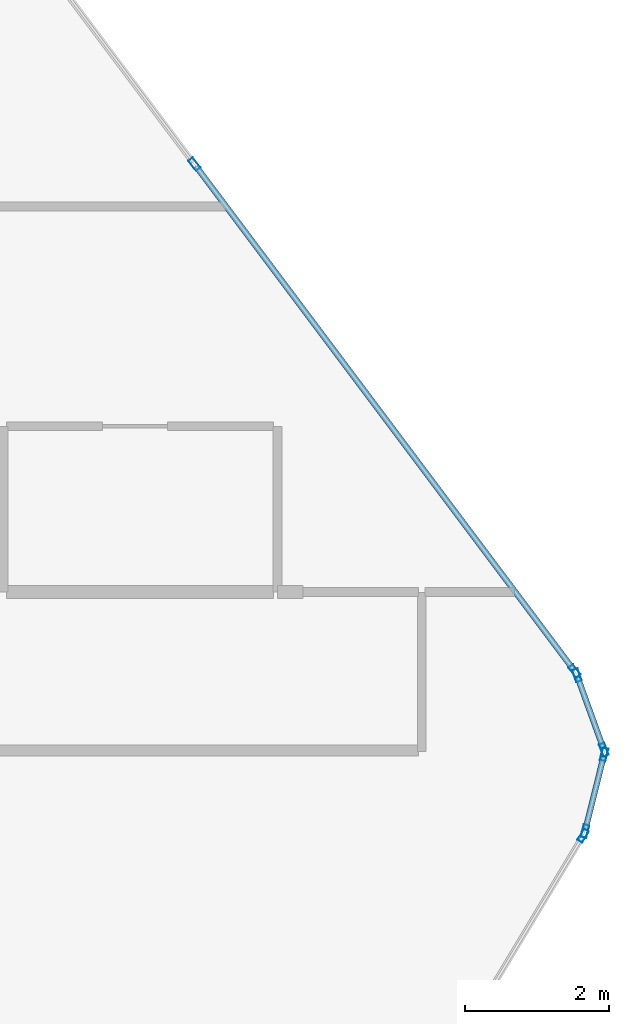
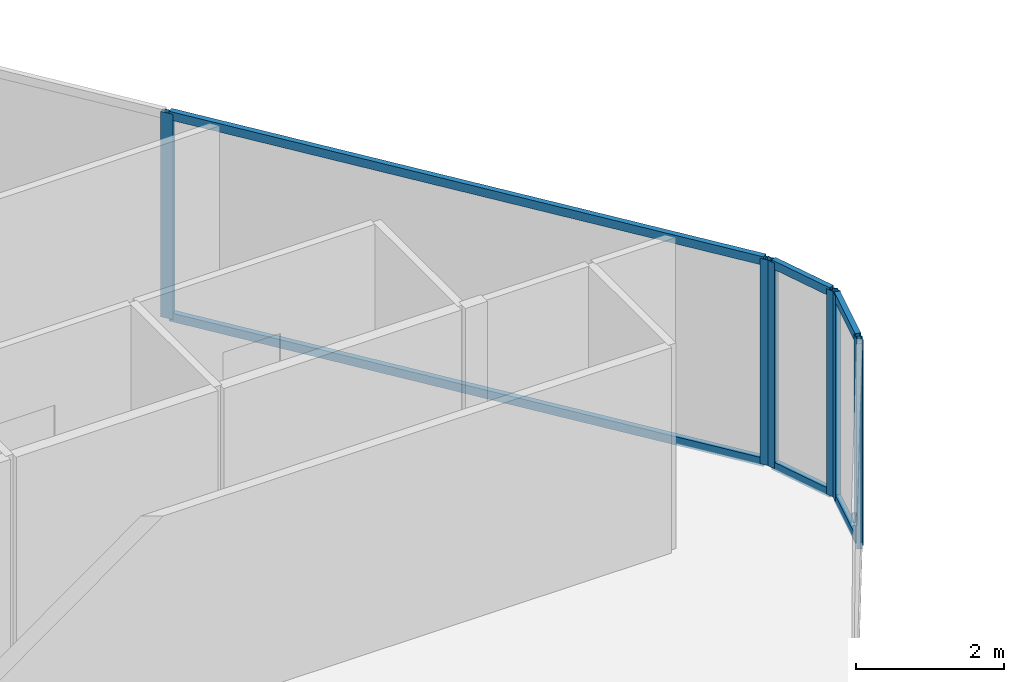
# One storey, part 18 of 29: 13 members, 4 elements without a shape of their own.
"""IFC4 building model written with IfcOpenShell, lengths in metres."""

from ifc_helpers import new_model, si_unit, direction, frame, origin, origin_2d, place, context, subcontext, project, spatial, hollow_rectangle, extrude, material, layer, layer_set, material_profile, profile_set, type_object, element, aggregate, save


model = new_model("IFC4")

# Units and contexts
model_context = context("Model", 3, precision=1e-05, world=origin(), true_north=direction((0.0, 1.0)))
body_context = subcontext(model_context, "Body", "Model", "MODEL_VIEW")
ifc_project = project(units=[si_unit("LENGTHUNIT", "METRE"), si_unit("AREAUNIT", "SQUARE_METRE"), si_unit("VOLUMEUNIT", "CUBIC_METRE"), si_unit("PLANEANGLEUNIT", "RADIAN"), si_unit("MASSUNIT", "GRAM", prefix="KILO")], contexts=[model_context])

# Site, building, storey
site_placement = place(None, origin())
site = spatial("IfcSite", under=ifc_project, at=site_placement, CompositionType="ELEMENT")
building_placement = place(site_placement, origin())
building = spatial("IfcBuilding", under=site, at=building_placement, Name="Keshet Zoharim Tower", CompositionType="ELEMENT")
storey_placement = place(building_placement, frame((0.0, 0.0, 98.300048828125)))
storey = spatial("IfcBuildingStorey", under=building, at=storey_placement, Name="L23", CompositionType="ELEMENT", Elevation=98.300048828125)

# Curtain wall, members
ifc_material = material(Name="Aluminium 6063-T6", Category="aluminium")
ifc_layer = layer(ifc_material, 0.159912109375)
ifc_layer_set = layer_set([ifc_layer], Name="Aluminium 6063-T6")
curtain_wall_type = type_object("IfcCurtainWallType", Name="CW-SYS-03", PredefinedType="NOTDEFINED", material=ifc_layer_set)
curtain_wall_1_placement = place(storey_placement, origin())
curtain_wall_1 = element("IfcCurtainWall", 1, at=curtain_wall_1_placement, inside=storey, type_object=curtain_wall_type, Name="L23 Unitised Curtain Wall 15", PredefinedType="NOTDEFINED")
ifc_material_profile_1 = material_profile(ifc_material, hollow_rectangle(XDim=0.080078125, YDim=0.179931640625, WallThickness=0.00439453125, at=origin_2d()), Name="MUL-80x180")
ifc_profile_set_1 = profile_set([ifc_material_profile_1], Name="Aluminium 6063-T6")
member_type_1 = type_object("IfcMemberType", Name="CWM-M18", PredefinedType="MULLION", material=ifc_profile_set_1)
member_1_placement = place(storey_placement, frame((56.896484375, 46.0380859375, 0.0), z_axis=(0.0, 0.0, 1.0), x_axis=(0.799999999998, 0.600000000002, 0.0)))
member_1 = element("IfcMember", 2, at=member_1_placement, type_object=member_type_1, Name="CW-03 mullion 2", PredefinedType="MULLION", context=body_context, shape_type="SweptSolid", body=[
    extrude(hollow_rectangle(XDim=0.080078125, YDim=0.179931640625, WallThickness=0.00439453125, at=origin_2d()), origin(), (0.0, 0.0, 1.0), 3.385009765625),
])
member_2_placement = place(storey_placement, frame((62.172119140625, 39.00390625, 0.0), z_axis=(0.0, 0.0, 1.0), x_axis=(0.799999999998, 0.600000000002, 0.0)))
member_2 = element("IfcMember", 3, at=member_2_placement, type_object=member_type_1, Name="CW-03 mullion 3", PredefinedType="MULLION", context=body_context, shape_type="SweptSolid", body=[
    extrude(hollow_rectangle(XDim=0.080078125, YDim=0.179931640625, WallThickness=0.00439453125, at=origin_2d()), origin(), (0.0, 0.0, 1.0), 3.385009765625),
])

curtain_wall_2_placement = place(storey_placement, origin())
curtain_wall_2 = element("IfcCurtainWall", 4, at=curtain_wall_2_placement, inside=storey, type_object=curtain_wall_type, Name="L23 Unitised Curtain Wall 16", PredefinedType="NOTDEFINED")
member_3_placement = place(storey_placement, frame((62.204833984375, 38.943115234375, 0.0), z_axis=(0.0, 0.0, 1.0), x_axis=(0.940317877544, 0.340297354046, 0.0)))
member_3 = element("IfcMember", 5, at=member_3_placement, type_object=member_type_1, Name="CW-03 mullion 1", PredefinedType="MULLION", context=body_context, shape_type="SweptSolid", body=[
    extrude(hollow_rectangle(XDim=0.080078125, YDim=0.179931640625, WallThickness=0.00439453125, at=origin_2d()), origin(), (0.0, 0.0, 1.0), 3.385009765625),
])
member_4_placement = place(storey_placement, frame((62.578125, 37.911865234375, 0.0), z_axis=(0.0, 0.0, 1.0), x_axis=(0.940317877544, 0.340297354046, 0.0)))
member_4 = element("IfcMember", 6, at=member_4_placement, type_object=member_type_1, Name="CW-03 mullion 2", PredefinedType="MULLION", context=body_context, shape_type="SweptSolid", body=[
    extrude(hollow_rectangle(XDim=0.080078125, YDim=0.179931640625, WallThickness=0.00439453125, at=origin_2d()), origin(), (0.0, 0.0, 1.0), 3.385009765625),
])

curtain_wall_3_placement = place(storey_placement, origin())
curtain_wall_3 = element("IfcCurtainWall", 7, at=curtain_wall_3_placement, inside=storey, type_object=curtain_wall_type, Name="L23 Unitised Curtain Wall 17", PredefinedType="NOTDEFINED")
member_5_placement = place(storey_placement, frame((62.58154296875, 37.844970703125, 0.0), z_axis=(0.0, 0.0, 1.0), x_axis=(0.970343857447, -0.241728770141, 0.0)))
member_5 = element("IfcMember", 8, at=member_5_placement, type_object=member_type_1, Name="CW-03 mullion 1", PredefinedType="MULLION", context=body_context, shape_type="SweptSolid", body=[
    extrude(hollow_rectangle(XDim=0.080078125, YDim=0.179931640625, WallThickness=0.00439453125, at=origin_2d()), origin(), (0.0, 0.0, 1.0), 3.385009765625),
])
member_6_placement = place(storey_placement, frame((62.31640625, 36.781005859375, 0.0), z_axis=(0.0, 0.0, 1.0), x_axis=(0.970343857447, -0.241728770141, 0.0)))
member_6 = element("IfcMember", 9, at=member_6_placement, type_object=member_type_1, Name="CW-03 mullion 2", PredefinedType="MULLION", context=body_context, shape_type="SweptSolid", body=[
    extrude(hollow_rectangle(XDim=0.080078125, YDim=0.179931640625, WallThickness=0.00439453125, at=origin_2d()), origin(), (0.0, 0.0, 1.0), 3.385009765625),
])

# Curtain wall, member
curtain_wall_4_placement = place(storey_placement, origin())
curtain_wall_4 = element("IfcCurtainWall", 10, at=curtain_wall_4_placement, inside=storey, type_object=curtain_wall_type, Name="L23 Unitised Curtain Wall 18", PredefinedType="NOTDEFINED")
member_7_placement = place(storey_placement, frame((62.2900390625, 36.717041015625, 0.0), z_axis=(0.0, 0.0, 1.0), x_axis=(0.857501477862, -0.514481501576, 0.0)))
member_7 = element("IfcMember", 11, at=member_7_placement, type_object=member_type_1, Name="CW-03 mullion 1", PredefinedType="MULLION", context=body_context, shape_type="SweptSolid", body=[
    extrude(hollow_rectangle(XDim=0.080078125, YDim=0.179931640625, WallThickness=0.00439453125, at=origin_2d()), origin(), (0.0, 0.0, 1.0), 3.385009765625),
])
aggregate(curtain_wall_4, [member_7])

# Member
ifc_material_profile_2 = material_profile(ifc_material, hollow_rectangle(XDim=0.080078125, YDim=0.139892578125, WallThickness=0.00390625, at=origin_2d()), Name="TRN-80x140")
ifc_profile_set_2 = profile_set([ifc_material_profile_2], Name="Aluminium 6063-T6")
member_type_2 = type_object("IfcMemberType", Name="CWT-T14", PredefinedType="USERDEFINED", material=ifc_profile_set_2)
member_8_placement = place(storey_placement, frame((56.91748046875, 46.010009765625, 0.034912109375), z_axis=(0.599991043201, -0.800006717521, 0.0), x_axis=(0.800006717521, 0.599991043201, 0.0)))
member_8 = element("IfcMember", 12, at=member_8_placement, type_object=member_type_2, Name="CW-03 transom 2.1", ObjectType="TRANSOM", PredefinedType="USERDEFINED", context=body_context, shape_type="SweptSolid", body=[
    extrude(hollow_rectangle(XDim=0.080078125, YDim=0.139892578125, WallThickness=0.00390625, at=origin_2d()), origin(), (0.0, 0.0, 1.0), 8.722412109375),
])

member_9_placement = place(storey_placement, frame((56.91748046875, 46.010009765625, 3.349853515625), z_axis=(0.599991043201, -0.800006717521, 0.0), x_axis=(0.800006717521, 0.599991043201, 0.0)))
member_9 = element("IfcMember", 13, at=member_9_placement, type_object=member_type_2, Name="CW-03 transom 2.2", ObjectType="TRANSOM", PredefinedType="USERDEFINED", context=body_context, shape_type="SweptSolid", body=[
    extrude(hollow_rectangle(XDim=0.080078125, YDim=0.139892578125, WallThickness=0.00390625, at=origin_2d()), origin(), (0.0, 0.0, 1.0), 8.722412109375),
])

aggregate(curtain_wall_1, [member_1, member_2, member_8, member_9])

member_10_placement = place(storey_placement, frame((62.216796875, 38.91015625, 0.034912109375), z_axis=(0.340310579984, -0.940313091024, 0.0), x_axis=(0.940313091024, 0.340310579984, 0.0)))
member_10 = element("IfcMember", 14, at=member_10_placement, type_object=member_type_2, Name="CW-03 transom 1.1", ObjectType="TRANSOM", PredefinedType="USERDEFINED", context=body_context, shape_type="SweptSolid", body=[
    extrude(hollow_rectangle(XDim=0.080078125, YDim=0.139892578125, WallThickness=0.00390625, at=origin_2d()), origin(), (0.0, 0.0, 1.0), 1.026611328125),
])

member_11_placement = place(storey_placement, frame((62.216796875, 38.91015625, 3.349853515625), z_axis=(0.340310579984, -0.940313091024, 0.0), x_axis=(0.940313091024, 0.340310579984, 0.0)))
member_11 = element("IfcMember", 15, at=member_11_placement, type_object=member_type_2, Name="CW-03 transom 1.2", ObjectType="TRANSOM", PredefinedType="USERDEFINED", context=body_context, shape_type="SweptSolid", body=[
    extrude(hollow_rectangle(XDim=0.080078125, YDim=0.139892578125, WallThickness=0.00390625, at=origin_2d()), origin(), (0.0, 0.0, 1.0), 1.026611328125),
])

aggregate(curtain_wall_2, [member_3, member_4, member_10, member_11])

member_12_placement = place(storey_placement, frame((62.572998046875, 37.81103515625, 0.034912109375), z_axis=(-0.241640143717, -0.970365931463, 0.0), x_axis=(0.970365931463, -0.241640143717, 0.0)))
member_12 = element("IfcMember", 16, at=member_12_placement, type_object=member_type_2, Name="CW-03 transom 1.1", ObjectType="TRANSOM", PredefinedType="USERDEFINED", context=body_context, shape_type="SweptSolid", body=[
    extrude(hollow_rectangle(XDim=0.080078125, YDim=0.139892578125, WallThickness=0.00390625, at=origin_2d()), origin(), (0.0, 0.0, 1.0), 1.026611328125),
])

member_13_placement = place(storey_placement, frame((62.572998046875, 37.81103515625, 3.349853515625), z_axis=(-0.241640143717, -0.970365931463, 0.0), x_axis=(0.970365931463, -0.241640143717, 0.0)))
member_13 = element("IfcMember", 17, at=member_13_placement, type_object=member_type_2, Name="CW-03 transom 1.2", ObjectType="TRANSOM", PredefinedType="USERDEFINED", context=body_context, shape_type="SweptSolid", body=[
    extrude(hollow_rectangle(XDim=0.080078125, YDim=0.139892578125, WallThickness=0.00390625, at=origin_2d()), origin(), (0.0, 0.0, 1.0), 1.026611328125),
])

aggregate(curtain_wall_3, [member_5, member_6, member_12, member_13])

save(model, "model.ifc")
